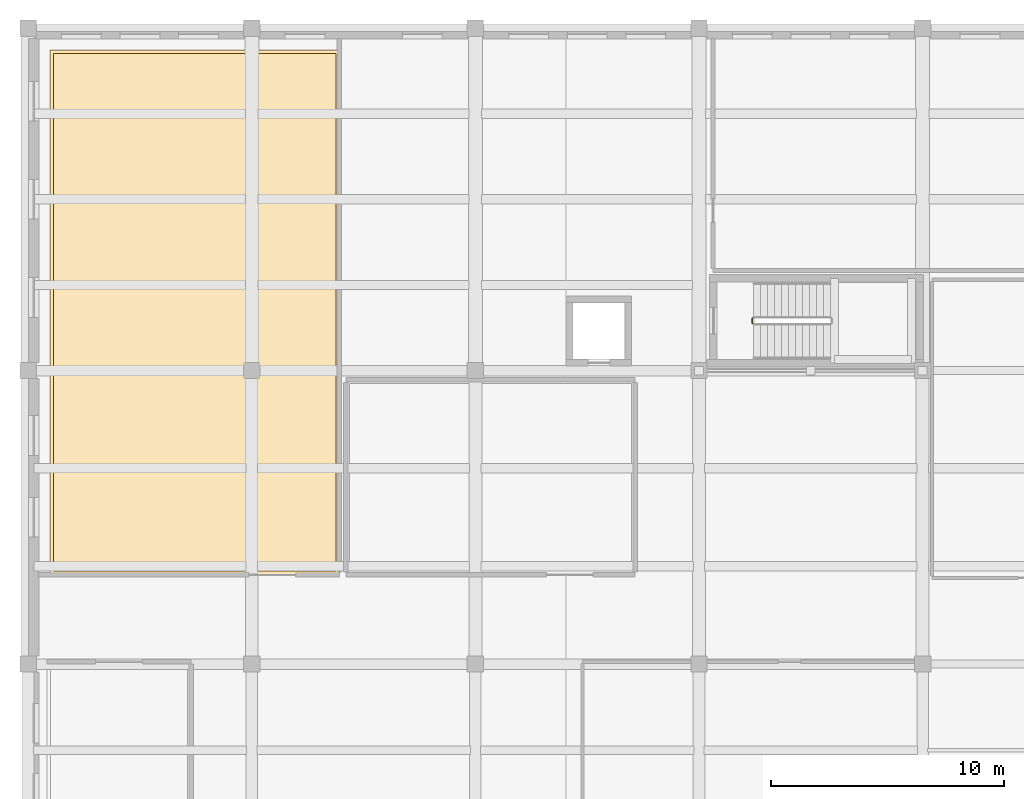
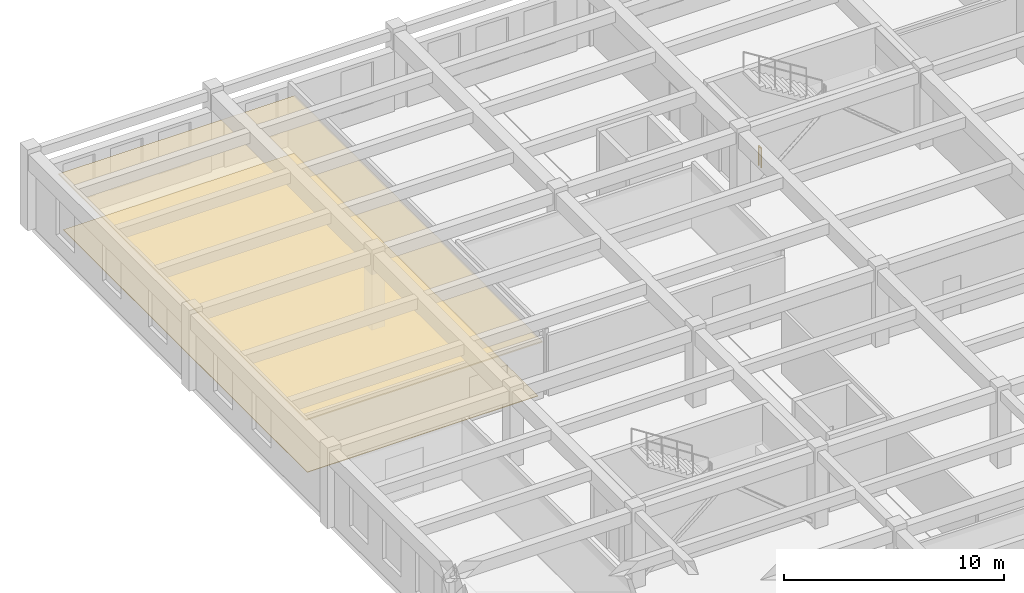
# One storey, part 85 of 91: 2 coverings, 1 railing.
"""IFC4 building model written with IfcOpenShell, lengths in metres."""

from ifc_helpers import new_model, si_unit, direction, frame, origin, origin_2d, place, context, subcontext, project, spatial, polyline, circle, outline, extrude, material, layer, layer_set, type_object, element, save


model = new_model("IFC4")

# Units and contexts
model_context = context("Model", 3, precision=1e-05, world=origin(), true_north=direction((0.0, 1.0)))
body_context = subcontext(model_context, "Body", "Model", "MODEL_VIEW")
ifc_project = project(units=[si_unit("LENGTHUNIT", "METRE"), si_unit("AREAUNIT", "SQUARE_METRE"), si_unit("VOLUMEUNIT", "CUBIC_METRE"), si_unit("PLANEANGLEUNIT", "RADIAN"), si_unit("MASSUNIT", "GRAM", prefix="KILO")], contexts=[model_context])

# Site, building, storey
site_placement = place(None, origin())
site = spatial("IfcSite", under=ifc_project, at=site_placement, CompositionType="ELEMENT")
building_placement = place(site_placement, origin())
building = spatial("IfcBuilding", under=site, at=building_placement, Name="Tarnavel Promenade Courthouse", CompositionType="ELEMENT")
storey_placement = place(building_placement, frame((0.0, 0.0, 9.89990234375)))
storey = spatial("IfcBuildingStorey", under=building, at=storey_placement, Name="L03", CompositionType="ELEMENT", Elevation=9.89990234375)

# Covering
ifc_material_1 = material(Name="Engineered Smoked Oak Courtroom & Chambers Parquet")
ifc_layer_1 = layer(ifc_material_1, 0.031982421875)
ifc_layer_set_1 = layer_set([ifc_layer_1], Name="Engineered Smoked Oak Courtroom & Chambers Parquet")
covering_type_1 = type_object("IfcCoveringType", Name="Engineered Smoked Oak Courtroom & Chambers Parquet (COV-FLR-OAK-32)", PredefinedType="FLOORING", material=ifc_layer_set_1)
covering_1_placement = place(storey_placement, origin())
element("IfcCovering", 1, at=covering_1_placement, inside=storey, type_object=covering_type_1, Name="L03 Criminal Assize Courtroom A Architectural Flooring 0016", PredefinedType="FLOORING", context=body_context, shape_type="SweptSolid", body=[
    extrude(outline(polyline([(1.090087890625, 89.489990234375), (13.2099609375, 89.489990234375), (13.2099609375, 111.7099609375), (1.090087890625, 111.7099609375), (1.090087890625, 89.489990234375)])), origin(), (0.0, 0.0, 1.0), 0.031982421875),
])

# Railing
ifc_material_2 = material(Name="Painted Architectural Steel Core Stair Guardrail", Category="steel")
railing_type = type_object("IfcRailingType", Name="Painted Architectural Steel Core Stair Guardrail (RL-GRD-1100)", PredefinedType="GUARDRAIL", material=ifc_material_2)
railing_placement = place(storey_placement, frame((31.090087890625, 100.139892578125, 0.0)))
element("IfcRailing", 2, at=railing_placement, inside=storey, type_object=railing_type, Name="L03 ST-07 stair guard 4", PredefinedType="GUARDRAIL", context=body_context, shape_type="SweptSolid", body=[
    extrude(circle(Radius=0.02392578125, at=origin_2d()), frame((0.0, 0.0, 1.076171875), z_axis=(0.0, 1.0, 0.0), x_axis=(-1.0, 0.0, 0.0)), (0.0, 0.0, 1.0), 0.2001953125),
    extrude(circle(Radius=0.02099609375, at=origin_2d()), origin(), (0.0, 0.0, 1.0), 1.052001953125),
    extrude(circle(Radius=0.02099609375, at=origin_2d()), frame((0.0, 0.2001953125, 0.0)), (0.0, 0.0, 1.0), 1.052001953125),
])

# Covering
ifc_material_3 = material(Name="Slatted Acoustic White Oak Baffle Ceiling")
ifc_layer_2 = layer(ifc_material_3, 0.06494140625)
ifc_layer_set_2 = layer_set([ifc_layer_2], Name="Slatted Acoustic White Oak Baffle Ceiling")
covering_type_2 = type_object("IfcCoveringType", Name="Slatted Acoustic White Oak Baffle Ceiling (COV-CLG-OAK-65)", PredefinedType="CEILING", material=ifc_layer_set_2)
covering_2_placement = place(storey_placement, frame((0.0, 0.0, 3.03515625)))
element("IfcCovering", 3, at=covering_2_placement, inside=storey, type_object=covering_type_2, Name="L03 Criminal Assize Courtroom A Acoustic Ceiling 0016", PredefinedType="CEILING", context=body_context, shape_type="SweptSolid", body=[
    extrude(outline(polyline([(0.93994140625, 89.340087890625), (13.360107421875, 89.340087890625), (13.360107421875, 111.860107421875), (0.93994140625, 111.860107421875), (0.93994140625, 89.340087890625)])), origin(), (0.0, 0.0, 1.0), 0.06494140625),
])

save(model, "model.ifc")
